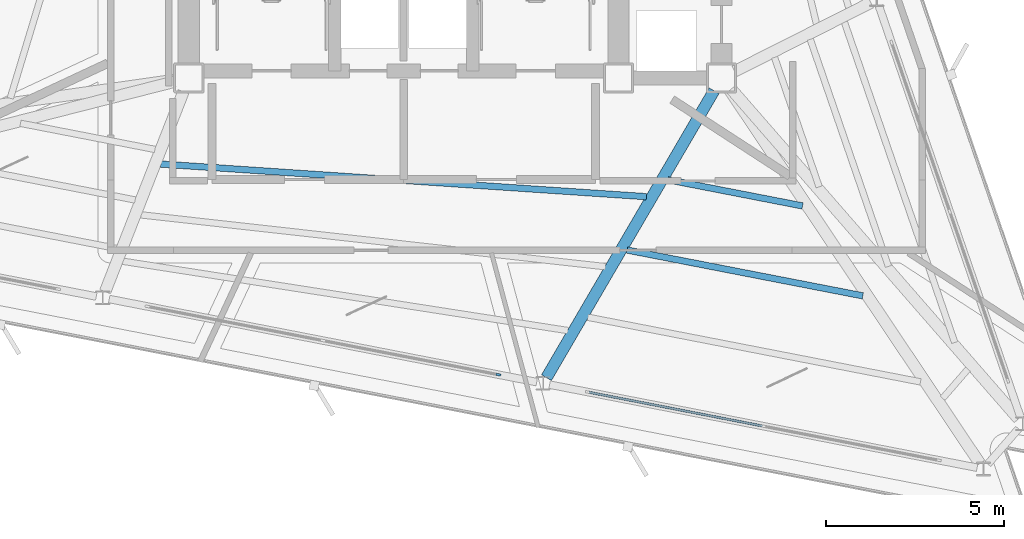
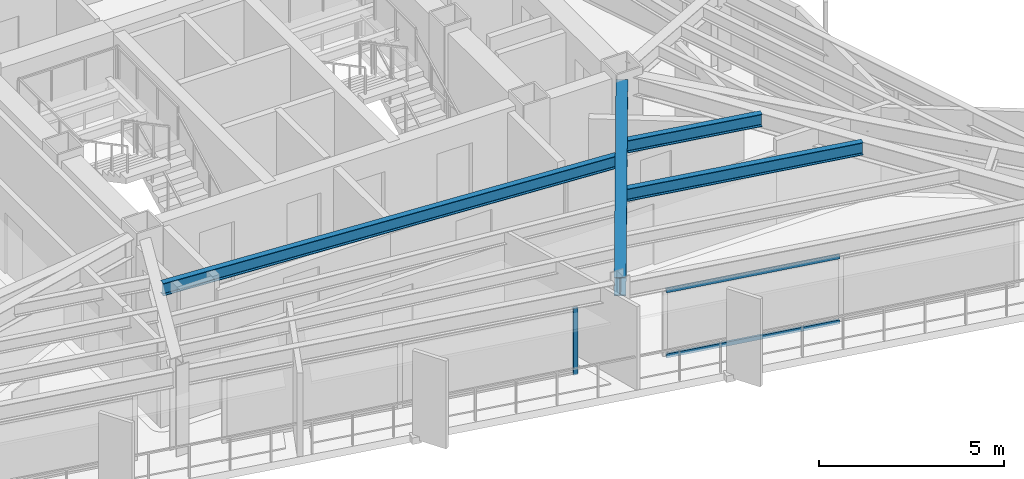
# One storey, part 3 of 13: 4 beams, 3 members, 2 elements without a shape of their own.
"""IFC4 building model written with IfcOpenShell, lengths in metres."""

from ifc_helpers import new_model, si_unit, direction, frame, origin, origin_2d, place, context, subcontext, project, spatial, rectangle, i_section, extrude, material, layer, layer_set, material_profile, profile_set, type_object, element, aggregate, save


model = new_model("IFC4")

# Units and contexts
model_context = context("Model", 3, precision=1e-05, world=origin(), true_north=direction((0.0, 1.0)))
body_context = subcontext(model_context, "Body", "Model", "MODEL_VIEW")
ifc_project = project(units=[si_unit("LENGTHUNIT", "METRE"), si_unit("AREAUNIT", "SQUARE_METRE"), si_unit("VOLUMEUNIT", "CUBIC_METRE"), si_unit("PLANEANGLEUNIT", "RADIAN"), si_unit("MASSUNIT", "GRAM", prefix="KILO")], contexts=[model_context])

# Site, building, storey
site_placement = place(None, origin())
site = spatial("IfcSite", under=ifc_project, at=site_placement, CompositionType="ELEMENT")
building_placement = place(site_placement, origin())
building = spatial("IfcBuilding", under=site, at=building_placement, Name="Rocaltana Carrier Exchange", CompositionType="ELEMENT")
storey_placement = place(building_placement, frame((0.0, 0.0, 159.360107421875)))
storey = spatial("IfcBuildingStorey", under=building, at=storey_placement, Name="L50", CompositionType="ELEMENT", Elevation=159.360107421875)

# Curtain wall, member
ifc_material_1 = material(Name="Aluminium 6063-T6", Category="aluminium")
ifc_layer = layer(ifc_material_1, 0.135009765625)
ifc_layer_set = layer_set([ifc_layer], Name="Aluminium 6063-T6")
curtain_wall_type = type_object("IfcCurtainWallType", Name="Upper-Mid Acoustic Curtain Wall CW-04", PredefinedType="NOTDEFINED", material=ifc_layer_set)
curtain_wall_1_placement = place(storey_placement, origin())
curtain_wall_1 = element("IfcCurtainWall", 1, at=curtain_wall_1_placement, inside=storey, type_object=curtain_wall_type, Name="L50 CW-04 Run CW-L50-F3S2", PredefinedType="NOTDEFINED")
ifc_material_2 = material(Name="Aluminium 6063-T6", Category="aluminium")
ifc_material_profile_1 = material_profile(ifc_material_2, rectangle(XDim=0.06494140625, YDim=0.135009765625, at=origin_2d()), Name="AL-65X135")
ifc_profile_set_1 = profile_set([ifc_material_profile_1], Name="Aluminium 6063-T6")
member_type_1 = type_object("IfcMemberType", Name="CW-04 Mullion AL-65X135", PredefinedType="MULLION", material=ifc_profile_set_1)
member_1_placement = place(storey_placement, frame((2.66845703125, -12.6552734375, 0.0), z_axis=(0.0, 0.0, 1.0), x_axis=(0.190814718784, 0.981626070913, 0.0)))
member_1 = element("IfcMember", 2, at=member_1_placement, type_object=member_type_1, Name="CW-04 mullion 3", PredefinedType="MULLION", context=body_context, shape_type="SweptSolid", body=[
    extrude(rectangle(XDim=0.06494140625, YDim=0.135009765625, at=origin_2d()), origin(), (0.0, 0.0, 1.0), 2.2177734375),
])
aggregate(curtain_wall_1, [member_1])

# Curtain wall, members
curtain_wall_2_placement = place(storey_placement, origin())
curtain_wall_2 = element("IfcCurtainWall", 3, at=curtain_wall_2_placement, inside=storey, type_object=curtain_wall_type, Name="L50 CW-04 Run CW-L50-F3S3", PredefinedType="NOTDEFINED")
ifc_material_3 = material(Name="Aluminium 6063-T6", Category="aluminium")
ifc_material_profile_2 = material_profile(ifc_material_3, rectangle(XDim=0.06494140625, YDim=0.135009765625, at=origin_2d()), Name="AL-65X135")
ifc_profile_set_2 = profile_set([ifc_material_profile_2], Name="Aluminium 6063-T6")
member_type_2 = type_object("IfcMemberType", Name="CW-04 Transom AL-65X135", PredefinedType="USERDEFINED", material=ifc_profile_set_2)
member_2_placement = place(storey_placement, frame((5.21826171875, -13.15087890625, 0.032470703125), z_axis=(0.981624593621, -0.1908223184, 0.0), x_axis=(0.1908223184, 0.981624593621, 0.0)))
member_2 = element("IfcMember", 4, at=member_2_placement, type_object=member_type_2, Name="CW-04 transom 1.1", ObjectType="TRANSOM", PredefinedType="USERDEFINED", context=body_context, shape_type="SweptSolid", body=[
    extrude(rectangle(XDim=0.06494140625, YDim=0.135009765625, at=origin_2d()), origin(), (0.0, 0.0, 1.0), 4.96923828125),
])
member_3_placement = place(storey_placement, frame((5.21826171875, -13.15087890625, 2.185302734375), z_axis=(0.981624593621, -0.1908223184, 0.0), x_axis=(0.1908223184, 0.981624593621, 0.0)))
member_3 = element("IfcMember", 5, at=member_3_placement, type_object=member_type_2, Name="CW-04 transom 1.2", ObjectType="TRANSOM", PredefinedType="USERDEFINED", context=body_context, shape_type="SweptSolid", body=[
    extrude(rectangle(XDim=0.06494140625, YDim=0.135009765625, at=origin_2d()), origin(), (0.0, 0.0, 1.0), 4.96923828125),
])
aggregate(curtain_wall_2, [member_2, member_3])

# Beams
ifc_material_4 = material(Name="Steel S355", Category="steel")
ifc_material_profile_3 = material_profile(ifc_material_4, i_section(OverallWidth=0.179931640625, OverallDepth=0.4130859375, WebThickness=0.009765625, FlangeThickness=0.01611328125, FilletRadius=0.012939453125, at=origin_2d()), Name="W16X50")
ifc_profile_set_3 = profile_set([ifc_material_profile_3], Name="Steel S355")
beam_type_1 = type_object("IfcBeamType", Name="Floor Joist W16X50", PredefinedType="JOIST", material=ifc_profile_set_3)
beam_1_placement = place(storey_placement, frame((-6.839599609375, -6.724365234375, 2.581298828125), z_axis=(0.997748594569, -0.067065207337, 0.0), x_axis=(0.067065207337, 0.997748594569, 0.0)))
element("IfcBeam", 6, at=beam_1_placement, inside=storey, type_object=beam_type_1, Name="FJ-L50-10-1", PredefinedType="JOIST", context=body_context, shape_type="SweptSolid", body=[
    extrude(i_section(OverallWidth=0.179931640625, OverallDepth=0.4130859375, WebThickness=0.009765625, FlangeThickness=0.01611328125, FilletRadius=0.012939453125, at=origin_2d()), origin(), (0.0, 0.0, 1.0), 13.705810546875),
])
beam_2_placement = place(storey_placement, frame((7.44580078125, -7.167724609375, 2.581298828125), z_axis=(0.981618354608, -0.190854410211, 0.0), x_axis=(0.190854410211, 0.981618354608, 0.0)))
element("IfcBeam", 7, at=beam_2_placement, inside=storey, type_object=beam_type_1, Name="FJ-L50-11-1", PredefinedType="JOIST", context=body_context, shape_type="SweptSolid", body=[
    extrude(i_section(OverallWidth=0.179931640625, OverallDepth=0.4130859375, WebThickness=0.009765625, FlangeThickness=0.01611328125, FilletRadius=0.012939453125, at=origin_2d()), origin(), (0.0, 0.0, 1.0), 3.856689453125),
])
beam_3_placement = place(storey_placement, frame((6.29052734375, -9.145751953125, 2.581298828125), z_axis=(0.981629854201, -0.190795255028, 0.0), x_axis=(0.190795255028, 0.981629854201, 0.0)))
element("IfcBeam", 8, at=beam_3_placement, inside=storey, type_object=beam_type_1, Name="FJ-L50-11-2", PredefinedType="JOIST", context=body_context, shape_type="SweptSolid", body=[
    extrude(i_section(OverallWidth=0.179931640625, OverallDepth=0.4130859375, WebThickness=0.009765625, FlangeThickness=0.01611328125, FilletRadius=0.012939453125, at=origin_2d()), origin(), (0.0, 0.0, 1.0), 6.7626953125),
])
ifc_material_5 = material(Name="Steel S355", Category="steel")
ifc_material_profile_4 = material_profile(ifc_material_5, i_section(OverallWidth=0.323974609375, OverallDepth=0.611083984375, WebThickness=0.0126953125, FlangeThickness=0.01904296875, FilletRadius=0.01611328125, at=origin_2d()), Name="W24X104")
ifc_profile_set_4 = profile_set([ifc_material_profile_4], Name="Steel S355")
beam_type_2 = type_object("IfcBeamType", Name="Radial Girder W24X104", PredefinedType="BEAM", material=ifc_profile_set_4)
beam_4_placement = place(storey_placement, frame((8.73974609375, -4.66015625, 2.482421875), z_axis=(-0.504321970508, -0.863515691845, 0.0), x_axis=(0.863515691845, -0.504321970508, 0.0)))
element("IfcBeam", 9, at=beam_4_placement, inside=storey, type_object=beam_type_2, Name="RG-L50-11", PredefinedType="BEAM", context=body_context, shape_type="SweptSolid", body=[
    extrude(i_section(OverallWidth=0.323974609375, OverallDepth=0.611083984375, WebThickness=0.0126953125, FlangeThickness=0.01904296875, FilletRadius=0.01611328125, at=origin_2d()), origin(), (0.0, 0.0, 1.0), 9.356689453125),
])

save(model, "model.ifc")
